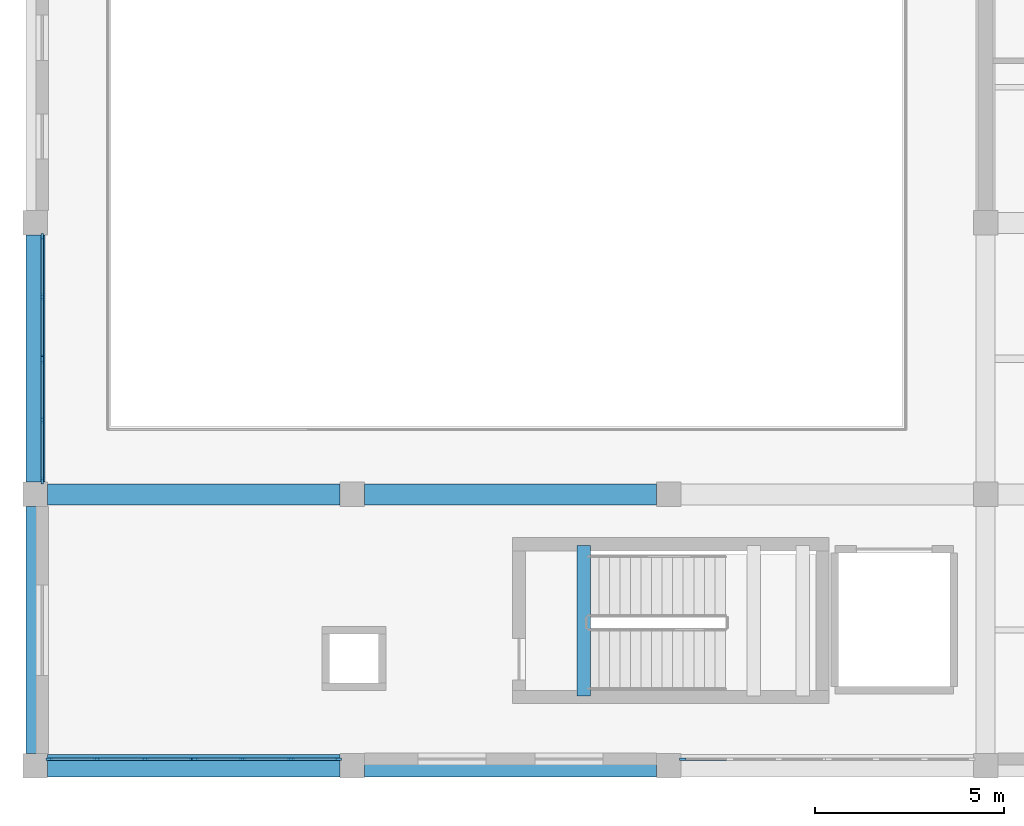
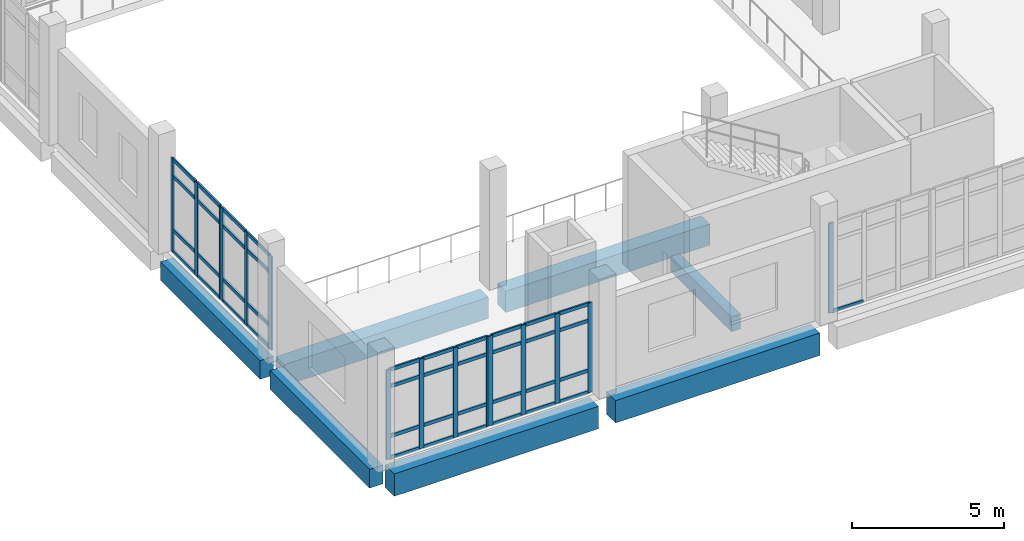
# One storey, part 2 of 90: 56 members, 7 beams, 5 elements without a shape of their own.
"""IFC4 building model written with IfcOpenShell, lengths in metres."""

from ifc_helpers import new_model, si_unit, direction, frame, origin, origin_2d, place, context, subcontext, project, spatial, rectangle, extrude, material, layer, layer_set, material_profile, profile_set, type_object, element, aggregate, save


model = new_model("IFC4")

# Units and contexts
model_context = context("Model", 3, precision=1e-05, world=origin(), true_north=direction((0.0, 1.0)))
body_context = subcontext(model_context, "Body", "Model", "MODEL_VIEW")
ifc_project = project(units=[si_unit("LENGTHUNIT", "METRE"), si_unit("AREAUNIT", "SQUARE_METRE"), si_unit("VOLUMEUNIT", "CUBIC_METRE"), si_unit("PLANEANGLEUNIT", "RADIAN"), si_unit("MASSUNIT", "GRAM", prefix="KILO")], contexts=[model_context])

# Site, building, storey
site_placement = place(None, origin())
site = spatial("IfcSite", under=ifc_project, at=site_placement, CompositionType="ELEMENT")
building_placement = place(site_placement, origin())
building = spatial("IfcBuilding", under=site, at=building_placement, Name="Kelarvand Opera House", CompositionType="ELEMENT")
storey_placement = place(building_placement, frame((0.0, 0.0, 5.39990234375)))
storey = spatial("IfcBuildingStorey", under=building, at=storey_placement, Name="L01", CompositionType="ELEMENT", Elevation=5.39990234375)

# Curtain wall, members
ifc_material_1 = material(Name="Thermally broken aluminium and low-E glazing", Category="aluminium")
ifc_layer_1 = layer(ifc_material_1, 0.179931640625, Name="Thermally broken aluminium and low-E glazing", Category="aluminium")
ifc_layer_set_1 = layer_set([ifc_layer_1], Name="Thermally broken aluminium and low-E glazing")
curtain_wall_type_1 = type_object("IfcCurtainWallType", Name="Unitised Low-E Curtain Wall 3261x3750 Mod 1350 CWF-26", PredefinedType="USERDEFINED", material=ifc_layer_set_1)
curtain_wall_1_placement = place(storey_placement, origin())
curtain_wall_1 = element("IfcCurtainWall", 1, at=curtain_wall_1_placement, inside=storey, type_object=curtain_wall_type_1, Name="V4 L01 Curtain Wall CWF-26 (119)", ObjectType="UNITISED CURTAIN WALL", PredefinedType="USERDEFINED")
ifc_material_2 = material(Name="Thermally broken anodised aluminium", Category="aluminium")
ifc_material_profile_1 = material_profile(ifc_material_2, rectangle(XDim=0.06494140625, YDim=0.179931640625, at=origin_2d()), Name="ALU MULLION 65x180", Category="aluminium")
ifc_profile_set_1 = profile_set([ifc_material_profile_1], Name="Thermally broken anodised aluminium")
member_type_1 = type_object("IfcMemberType", Name="Curtain Wall Mullion 65x180 Aluminium", PredefinedType="MULLION", material=ifc_profile_set_1)
member_1_placement = place(storey_placement, frame((9.179931640625, 16.5673828125, 0.0), z_axis=(0.0, 0.0, 1.0), x_axis=(-1.0, 0.0, 0.0)))
member_1 = element("IfcMember", 2, at=member_1_placement, type_object=member_type_1, Name="CWF-26 mullion 1", PredefinedType="MULLION", context=body_context, shape_type="SweptSolid", body=[
    extrude(rectangle(XDim=0.06494140625, YDim=0.179931640625, at=origin_2d()), origin(), (0.0, 0.0, 1.0), 3.75),
])
member_2_placement = place(storey_placement, frame((9.179931640625, 18.16552734375, 0.0), z_axis=(0.0, 0.0, 1.0), x_axis=(-1.0, 0.0, 0.0)))
member_2 = element("IfcMember", 3, at=member_2_placement, type_object=member_type_1, Name="CWF-26 mullion 2", PredefinedType="MULLION", context=body_context, shape_type="SweptSolid", body=[
    extrude(rectangle(XDim=0.06494140625, YDim=0.179931640625, at=origin_2d()), origin(), (0.0, 0.0, 1.0), 3.75),
])
member_3_placement = place(storey_placement, frame((9.179931640625, 19.763427734375, 0.0), z_axis=(0.0, 0.0, 1.0), x_axis=(-1.0, 0.0, 0.0)))
member_3 = element("IfcMember", 4, at=member_3_placement, type_object=member_type_1, Name="CWF-26 mullion 3", PredefinedType="MULLION", context=body_context, shape_type="SweptSolid", body=[
    extrude(rectangle(XDim=0.06494140625, YDim=0.179931640625, at=origin_2d()), origin(), (0.0, 0.0, 1.0), 3.75),
])

curtain_wall_2_placement = place(storey_placement, origin())
curtain_wall_2 = element("IfcCurtainWall", 5, at=curtain_wall_2_placement, inside=storey, type_object=curtain_wall_type_1, Name="V4 L01 Curtain Wall CWF-26 (120)", ObjectType="UNITISED CURTAIN WALL", PredefinedType="USERDEFINED")
member_4_placement = place(storey_placement, frame((9.179931640625, 19.83251953125, 0.0), z_axis=(0.0, 0.0, 1.0), x_axis=(-1.0, 0.0, 0.0)))
member_4 = element("IfcMember", 6, at=member_4_placement, type_object=member_type_1, Name="CWF-26 mullion 1", PredefinedType="MULLION", context=body_context, shape_type="SweptSolid", body=[
    extrude(rectangle(XDim=0.06494140625, YDim=0.179931640625, at=origin_2d()), origin(), (0.0, 0.0, 1.0), 3.75),
])
member_5_placement = place(storey_placement, frame((9.179931640625, 21.4326171875, 0.0), z_axis=(0.0, 0.0, 1.0), x_axis=(-1.0, 0.0, 0.0)))
member_5 = element("IfcMember", 7, at=member_5_placement, type_object=member_type_1, Name="CWF-26 mullion 2", PredefinedType="MULLION", context=body_context, shape_type="SweptSolid", body=[
    extrude(rectangle(XDim=0.06494140625, YDim=0.179931640625, at=origin_2d()), origin(), (0.0, 0.0, 1.0), 3.75),
])
member_6_placement = place(storey_placement, frame((9.179931640625, 23.032470703125, 0.0), z_axis=(0.0, 0.0, 1.0), x_axis=(-1.0, 0.0, 0.0)))
member_6 = element("IfcMember", 8, at=member_6_placement, type_object=member_type_1, Name="CWF-26 mullion 3", PredefinedType="MULLION", context=body_context, shape_type="SweptSolid", body=[
    extrude(rectangle(XDim=0.06494140625, YDim=0.179931640625, at=origin_2d()), origin(), (0.0, 0.0, 1.0), 3.75),
])

# Curtain wall, member
ifc_layer_2 = layer(ifc_material_1, 0.179931640625, Name="Thermally broken aluminium and low-E glazing", Category="aluminium")
ifc_layer_set_2 = layer_set([ifc_layer_2], Name="Thermally broken aluminium and low-E glazing")
curtain_wall_type_2 = type_object("IfcCurtainWallType", Name="Unitised Low-E Curtain Wall 3861x3600 Mod 1350 CWF-17", PredefinedType="USERDEFINED", material=ifc_layer_set_2)
curtain_wall_3_placement = place(storey_placement, origin())
curtain_wall_3 = element("IfcCurtainWall", 9, at=curtain_wall_3_placement, inside=storey, type_object=curtain_wall_type_2, Name="V4 L01 Curtain Wall CWF-17 (136)", ObjectType="UNITISED CURTAIN WALL", PredefinedType="USERDEFINED")
member_7_placement = place(storey_placement, frame((26.16748046875, 9.179931640625, 0.0), z_axis=(0.0, 0.0, 1.0), x_axis=(0.0, -1.0, 0.0)))
member_7 = element("IfcMember", 10, at=member_7_placement, type_object=member_type_1, Name="CWF-17 mullion 4", PredefinedType="MULLION", context=body_context, shape_type="SweptSolid", body=[
    extrude(rectangle(XDim=0.06494140625, YDim=0.179931640625, at=origin_2d()), origin(), (0.0, 0.0, 1.0), 3.60009765625),
])

# Curtain wall, members
curtain_wall_4_placement = place(storey_placement, origin())
curtain_wall_4 = element("IfcCurtainWall", 11, at=curtain_wall_4_placement, inside=storey, type_object=curtain_wall_type_2, Name="V4 L01 Curtain Wall CWF-17 (137)", ObjectType="UNITISED CURTAIN WALL", PredefinedType="USERDEFINED")
member_8_placement = place(storey_placement, frame((17.032470703125, 9.179931640625, 0.0), z_axis=(0.0, 0.0, 1.0), x_axis=(0.0, -1.0, 0.0)))
member_8 = element("IfcMember", 12, at=member_8_placement, type_object=member_type_1, Name="CWF-17 mullion 1", PredefinedType="MULLION", context=body_context, shape_type="SweptSolid", body=[
    extrude(rectangle(XDim=0.06494140625, YDim=0.179931640625, at=origin_2d()), origin(), (0.0, 0.0, 1.0), 3.60009765625),
])
member_9_placement = place(storey_placement, frame((15.778076171875, 9.179931640625, 0.0), z_axis=(0.0, 0.0, 1.0), x_axis=(0.0, -1.0, 0.0)))
member_9 = element("IfcMember", 13, at=member_9_placement, type_object=member_type_1, Name="CWF-17 mullion 2", PredefinedType="MULLION", context=body_context, shape_type="SweptSolid", body=[
    extrude(rectangle(XDim=0.06494140625, YDim=0.179931640625, at=origin_2d()), origin(), (0.0, 0.0, 1.0), 3.60009765625),
])
member_10_placement = place(storey_placement, frame((14.490966796875, 9.179931640625, 0.0), z_axis=(0.0, 0.0, 1.0), x_axis=(0.0, -1.0, 0.0)))
member_10 = element("IfcMember", 14, at=member_10_placement, type_object=member_type_1, Name="CWF-17 mullion 3", PredefinedType="MULLION", context=body_context, shape_type="SweptSolid", body=[
    extrude(rectangle(XDim=0.06494140625, YDim=0.179931640625, at=origin_2d()), origin(), (0.0, 0.0, 1.0), 3.60009765625),
])
member_11_placement = place(storey_placement, frame((13.236572265625, 9.179931640625, 0.0), z_axis=(0.0, 0.0, 1.0), x_axis=(0.0, -1.0, 0.0)))
member_11 = element("IfcMember", 15, at=member_11_placement, type_object=member_type_1, Name="CWF-17 mullion 4", PredefinedType="MULLION", context=body_context, shape_type="SweptSolid", body=[
    extrude(rectangle(XDim=0.06494140625, YDim=0.179931640625, at=origin_2d()), origin(), (0.0, 0.0, 1.0), 3.60009765625),
])

curtain_wall_5_placement = place(storey_placement, origin())
curtain_wall_5 = element("IfcCurtainWall", 16, at=curtain_wall_5_placement, inside=storey, type_object=curtain_wall_type_2, Name="V4 L01 Curtain Wall CWF-17 (138)", ObjectType="UNITISED CURTAIN WALL", PredefinedType="USERDEFINED")
member_12_placement = place(storey_placement, frame((13.16748046875, 9.179931640625, 0.0), z_axis=(0.0, 0.0, 1.0), x_axis=(0.0, -1.0, 0.0)))
member_12 = element("IfcMember", 17, at=member_12_placement, type_object=member_type_1, Name="CWF-17 mullion 1", PredefinedType="MULLION", context=body_context, shape_type="SweptSolid", body=[
    extrude(rectangle(XDim=0.06494140625, YDim=0.179931640625, at=origin_2d()), origin(), (0.0, 0.0, 1.0), 3.60009765625),
])
member_13_placement = place(storey_placement, frame((11.91162109375, 9.179931640625, 0.0), z_axis=(0.0, 0.0, 1.0), x_axis=(0.0, -1.0, 0.0)))
member_13 = element("IfcMember", 18, at=member_13_placement, type_object=member_type_1, Name="CWF-17 mullion 2", PredefinedType="MULLION", context=body_context, shape_type="SweptSolid", body=[
    extrude(rectangle(XDim=0.06494140625, YDim=0.179931640625, at=origin_2d()), origin(), (0.0, 0.0, 1.0), 3.60009765625),
])
member_14_placement = place(storey_placement, frame((10.623291015625, 9.179931640625, 0.0), z_axis=(0.0, 0.0, 1.0), x_axis=(0.0, -1.0, 0.0)))
member_14 = element("IfcMember", 19, at=member_14_placement, type_object=member_type_1, Name="CWF-17 mullion 3", PredefinedType="MULLION", context=body_context, shape_type="SweptSolid", body=[
    extrude(rectangle(XDim=0.06494140625, YDim=0.179931640625, at=origin_2d()), origin(), (0.0, 0.0, 1.0), 3.60009765625),
])
member_15_placement = place(storey_placement, frame((9.367431640625, 9.179931640625, 0.0), z_axis=(0.0, 0.0, 1.0), x_axis=(0.0, -1.0, 0.0)))
member_15 = element("IfcMember", 20, at=member_15_placement, type_object=member_type_1, Name="CWF-17 mullion 4", PredefinedType="MULLION", context=body_context, shape_type="SweptSolid", body=[
    extrude(rectangle(XDim=0.06494140625, YDim=0.179931640625, at=origin_2d()), origin(), (0.0, 0.0, 1.0), 3.60009765625),
])

# Member
ifc_material_profile_2 = material_profile(ifc_material_2, rectangle(XDim=0.06494140625, YDim=0.139892578125, at=origin_2d()), Name="ALU TRANSOM 65x140", Category="aluminium")
ifc_profile_set_2 = profile_set([ifc_material_profile_2], Name="Thermally broken anodised aluminium")
member_type_2 = type_object("IfcMemberType", Name="Curtain Wall Transom 65x140 Aluminium", PredefinedType="USERDEFINED", material=ifc_profile_set_2)
member_16_placement = place(storey_placement, frame((9.179931640625, 16.60009765625, 0.03271484375), z_axis=(0.0, 1.0, 0.0), x_axis=(-1.0, 0.0, 0.0)))
member_16 = element("IfcMember", 21, at=member_16_placement, type_object=member_type_2, Name="CWF-26 transom 1.1", ObjectType="TRANSOM", PredefinedType="USERDEFINED", context=body_context, shape_type="SweptSolid", body=[
    extrude(rectangle(XDim=0.06494140625, YDim=0.139892578125, at=origin_2d()), origin(), (0.0, 0.0, 1.0), 1.532958984375),
])

member_17_placement = place(storey_placement, frame((9.179931640625, 16.60009765625, 0.900146484375), z_axis=(0.0, 1.0, 0.0), x_axis=(-1.0, 0.0, 0.0)))
member_17 = element("IfcMember", 22, at=member_17_placement, type_object=member_type_2, Name="CWF-26 transom 1.2", ObjectType="TRANSOM", PredefinedType="USERDEFINED", context=body_context, shape_type="SweptSolid", body=[
    extrude(rectangle(XDim=0.06494140625, YDim=0.139892578125, at=origin_2d()), origin(), (0.0, 0.0, 1.0), 1.532958984375),
])

member_18_placement = place(storey_placement, frame((9.179931640625, 16.60009765625, 3.050048828125), z_axis=(0.0, 1.0, 0.0), x_axis=(-1.0, 0.0, 0.0)))
member_18 = element("IfcMember", 23, at=member_18_placement, type_object=member_type_2, Name="CWF-26 transom 1.3", ObjectType="TRANSOM", PredefinedType="USERDEFINED", context=body_context, shape_type="SweptSolid", body=[
    extrude(rectangle(XDim=0.06494140625, YDim=0.139892578125, at=origin_2d()), origin(), (0.0, 0.0, 1.0), 1.532958984375),
])

member_19_placement = place(storey_placement, frame((9.179931640625, 16.60009765625, 3.717529296875), z_axis=(0.0, 1.0, 0.0), x_axis=(-1.0, 0.0, 0.0)))
member_19 = element("IfcMember", 24, at=member_19_placement, type_object=member_type_2, Name="CWF-26 transom 1.4", ObjectType="TRANSOM", PredefinedType="USERDEFINED", context=body_context, shape_type="SweptSolid", body=[
    extrude(rectangle(XDim=0.06494140625, YDim=0.139892578125, at=origin_2d()), origin(), (0.0, 0.0, 1.0), 1.532958984375),
])

member_20_placement = place(storey_placement, frame((9.179931640625, 18.197998046875, 0.03271484375), z_axis=(0.0, 1.0, 0.0), x_axis=(-1.0, 0.0, 0.0)))
member_20 = element("IfcMember", 25, at=member_20_placement, type_object=member_type_2, Name="CWF-26 transom 2.1", ObjectType="TRANSOM", PredefinedType="USERDEFINED", context=body_context, shape_type="SweptSolid", body=[
    extrude(rectangle(XDim=0.06494140625, YDim=0.139892578125, at=origin_2d()), origin(), (0.0, 0.0, 1.0), 1.532958984375),
])

member_21_placement = place(storey_placement, frame((9.179931640625, 18.197998046875, 0.900146484375), z_axis=(0.0, 1.0, 0.0), x_axis=(-1.0, 0.0, 0.0)))
member_21 = element("IfcMember", 26, at=member_21_placement, type_object=member_type_2, Name="CWF-26 transom 2.2", ObjectType="TRANSOM", PredefinedType="USERDEFINED", context=body_context, shape_type="SweptSolid", body=[
    extrude(rectangle(XDim=0.06494140625, YDim=0.139892578125, at=origin_2d()), origin(), (0.0, 0.0, 1.0), 1.532958984375),
])

member_22_placement = place(storey_placement, frame((9.179931640625, 18.197998046875, 3.050048828125), z_axis=(0.0, 1.0, 0.0), x_axis=(-1.0, 0.0, 0.0)))
member_22 = element("IfcMember", 27, at=member_22_placement, type_object=member_type_2, Name="CWF-26 transom 2.3", ObjectType="TRANSOM", PredefinedType="USERDEFINED", context=body_context, shape_type="SweptSolid", body=[
    extrude(rectangle(XDim=0.06494140625, YDim=0.139892578125, at=origin_2d()), origin(), (0.0, 0.0, 1.0), 1.532958984375),
])

member_23_placement = place(storey_placement, frame((9.179931640625, 18.197998046875, 3.717529296875), z_axis=(0.0, 1.0, 0.0), x_axis=(-1.0, 0.0, 0.0)))
member_23 = element("IfcMember", 28, at=member_23_placement, type_object=member_type_2, Name="CWF-26 transom 2.4", ObjectType="TRANSOM", PredefinedType="USERDEFINED", context=body_context, shape_type="SweptSolid", body=[
    extrude(rectangle(XDim=0.06494140625, YDim=0.139892578125, at=origin_2d()), origin(), (0.0, 0.0, 1.0), 1.532958984375),
])

aggregate(curtain_wall_1, [member_1, member_2, member_3, member_16, member_17, member_18, member_19, member_20, member_21, member_22, member_23])

member_24_placement = place(storey_placement, frame((9.179931640625, 19.864990234375, 0.03271484375), z_axis=(0.0, 1.0, 0.0), x_axis=(-1.0, 0.0, 0.0)))
member_24 = element("IfcMember", 29, at=member_24_placement, type_object=member_type_2, Name="CWF-26 transom 1.1", ObjectType="TRANSOM", PredefinedType="USERDEFINED", context=body_context, shape_type="SweptSolid", body=[
    extrude(rectangle(XDim=0.06494140625, YDim=0.139892578125, at=origin_2d()), origin(), (0.0, 0.0, 1.0), 1.534912109375),
])

member_25_placement = place(storey_placement, frame((9.179931640625, 19.864990234375, 0.900146484375), z_axis=(0.0, 1.0, 0.0), x_axis=(-1.0, 0.0, 0.0)))
member_25 = element("IfcMember", 30, at=member_25_placement, type_object=member_type_2, Name="CWF-26 transom 1.2", ObjectType="TRANSOM", PredefinedType="USERDEFINED", context=body_context, shape_type="SweptSolid", body=[
    extrude(rectangle(XDim=0.06494140625, YDim=0.139892578125, at=origin_2d()), origin(), (0.0, 0.0, 1.0), 1.534912109375),
])

member_26_placement = place(storey_placement, frame((9.179931640625, 19.864990234375, 3.050048828125), z_axis=(0.0, 1.0, 0.0), x_axis=(-1.0, 0.0, 0.0)))
member_26 = element("IfcMember", 31, at=member_26_placement, type_object=member_type_2, Name="CWF-26 transom 1.3", ObjectType="TRANSOM", PredefinedType="USERDEFINED", context=body_context, shape_type="SweptSolid", body=[
    extrude(rectangle(XDim=0.06494140625, YDim=0.139892578125, at=origin_2d()), origin(), (0.0, 0.0, 1.0), 1.534912109375),
])

member_27_placement = place(storey_placement, frame((9.179931640625, 19.864990234375, 3.717529296875), z_axis=(0.0, 1.0, 0.0), x_axis=(-1.0, 0.0, 0.0)))
member_27 = element("IfcMember", 32, at=member_27_placement, type_object=member_type_2, Name="CWF-26 transom 1.4", ObjectType="TRANSOM", PredefinedType="USERDEFINED", context=body_context, shape_type="SweptSolid", body=[
    extrude(rectangle(XDim=0.06494140625, YDim=0.139892578125, at=origin_2d()), origin(), (0.0, 0.0, 1.0), 1.534912109375),
])

member_28_placement = place(storey_placement, frame((9.179931640625, 21.465087890625, 0.03271484375), z_axis=(0.0, 1.0, 0.0), x_axis=(-1.0, 0.0, 0.0)))
member_28 = element("IfcMember", 33, at=member_28_placement, type_object=member_type_2, Name="CWF-26 transom 2.1", ObjectType="TRANSOM", PredefinedType="USERDEFINED", context=body_context, shape_type="SweptSolid", body=[
    extrude(rectangle(XDim=0.06494140625, YDim=0.139892578125, at=origin_2d()), origin(), (0.0, 0.0, 1.0), 1.534912109375),
])

member_29_placement = place(storey_placement, frame((9.179931640625, 21.465087890625, 0.900146484375), z_axis=(0.0, 1.0, 0.0), x_axis=(-1.0, 0.0, 0.0)))
member_29 = element("IfcMember", 34, at=member_29_placement, type_object=member_type_2, Name="CWF-26 transom 2.2", ObjectType="TRANSOM", PredefinedType="USERDEFINED", context=body_context, shape_type="SweptSolid", body=[
    extrude(rectangle(XDim=0.06494140625, YDim=0.139892578125, at=origin_2d()), origin(), (0.0, 0.0, 1.0), 1.534912109375),
])

member_30_placement = place(storey_placement, frame((9.179931640625, 21.465087890625, 3.050048828125), z_axis=(0.0, 1.0, 0.0), x_axis=(-1.0, 0.0, 0.0)))
member_30 = element("IfcMember", 35, at=member_30_placement, type_object=member_type_2, Name="CWF-26 transom 2.3", ObjectType="TRANSOM", PredefinedType="USERDEFINED", context=body_context, shape_type="SweptSolid", body=[
    extrude(rectangle(XDim=0.06494140625, YDim=0.139892578125, at=origin_2d()), origin(), (0.0, 0.0, 1.0), 1.534912109375),
])

member_31_placement = place(storey_placement, frame((9.179931640625, 21.465087890625, 3.717529296875), z_axis=(0.0, 1.0, 0.0), x_axis=(-1.0, 0.0, 0.0)))
member_31 = element("IfcMember", 36, at=member_31_placement, type_object=member_type_2, Name="CWF-26 transom 2.4", ObjectType="TRANSOM", PredefinedType="USERDEFINED", context=body_context, shape_type="SweptSolid", body=[
    extrude(rectangle(XDim=0.06494140625, YDim=0.139892578125, at=origin_2d()), origin(), (0.0, 0.0, 1.0), 1.534912109375),
])

aggregate(curtain_wall_2, [member_4, member_5, member_6, member_24, member_25, member_26, member_27, member_28, member_29, member_30, member_31])

member_32_placement = place(storey_placement, frame((27.390869140625, 9.179931640625, 0.03271484375), z_axis=(-1.0, 0.0, 0.0), x_axis=(0.0, -1.0, 0.0)))
member_32 = element("IfcMember", 37, at=member_32_placement, type_object=member_type_2, Name="CWF-17 transom 3.1", ObjectType="TRANSOM", PredefinedType="USERDEFINED", context=body_context, shape_type="SweptSolid", body=[
    extrude(rectangle(XDim=0.06494140625, YDim=0.139892578125, at=origin_2d()), origin(), (0.0, 0.0, 1.0), 1.19091796875),
])

aggregate(curtain_wall_3, [member_7, member_32])

member_33_placement = place(storey_placement, frame((17.0, 9.179931640625, 0.03271484375), z_axis=(-1.0, 0.0, 0.0), x_axis=(0.0, -1.0, 0.0)))
member_33 = element("IfcMember", 38, at=member_33_placement, type_object=member_type_2, Name="CWF-17 transom 1.1", ObjectType="TRANSOM", PredefinedType="USERDEFINED", context=body_context, shape_type="SweptSolid", body=[
    extrude(rectangle(XDim=0.06494140625, YDim=0.139892578125, at=origin_2d()), origin(), (0.0, 0.0, 1.0), 1.189453125),
])

member_34_placement = place(storey_placement, frame((17.0, 9.179931640625, 0.900146484375), z_axis=(-1.0, 0.0, 0.0), x_axis=(0.0, -1.0, 0.0)))
member_34 = element("IfcMember", 39, at=member_34_placement, type_object=member_type_2, Name="CWF-17 transom 1.2", ObjectType="TRANSOM", PredefinedType="USERDEFINED", context=body_context, shape_type="SweptSolid", body=[
    extrude(rectangle(XDim=0.06494140625, YDim=0.139892578125, at=origin_2d()), origin(), (0.0, 0.0, 1.0), 1.189453125),
])

member_35_placement = place(storey_placement, frame((17.0, 9.179931640625, 2.900146484375), z_axis=(-1.0, 0.0, 0.0), x_axis=(0.0, -1.0, 0.0)))
member_35 = element("IfcMember", 40, at=member_35_placement, type_object=member_type_2, Name="CWF-17 transom 1.3", ObjectType="TRANSOM", PredefinedType="USERDEFINED", context=body_context, shape_type="SweptSolid", body=[
    extrude(rectangle(XDim=0.06494140625, YDim=0.139892578125, at=origin_2d()), origin(), (0.0, 0.0, 1.0), 1.189453125),
])

member_36_placement = place(storey_placement, frame((17.0, 9.179931640625, 3.567626953125), z_axis=(-1.0, 0.0, 0.0), x_axis=(0.0, -1.0, 0.0)))
member_36 = element("IfcMember", 41, at=member_36_placement, type_object=member_type_2, Name="CWF-17 transom 1.4", ObjectType="TRANSOM", PredefinedType="USERDEFINED", context=body_context, shape_type="SweptSolid", body=[
    extrude(rectangle(XDim=0.06494140625, YDim=0.139892578125, at=origin_2d()), origin(), (0.0, 0.0, 1.0), 1.189453125),
])

member_37_placement = place(storey_placement, frame((15.74560546875, 9.179931640625, 0.03271484375), z_axis=(-1.0, 0.0, 0.0), x_axis=(0.0, -1.0, 0.0)))
member_37 = element("IfcMember", 42, at=member_37_placement, type_object=member_type_2, Name="CWF-17 transom 2.1", ObjectType="TRANSOM", PredefinedType="USERDEFINED", context=body_context, shape_type="SweptSolid", body=[
    extrude(rectangle(XDim=0.06494140625, YDim=0.139892578125, at=origin_2d()), origin(), (0.0, 0.0, 1.0), 1.22216796875),
])

member_38_placement = place(storey_placement, frame((15.74560546875, 9.179931640625, 0.900146484375), z_axis=(-1.0, 0.0, 0.0), x_axis=(0.0, -1.0, 0.0)))
member_38 = element("IfcMember", 43, at=member_38_placement, type_object=member_type_2, Name="CWF-17 transom 2.2", ObjectType="TRANSOM", PredefinedType="USERDEFINED", context=body_context, shape_type="SweptSolid", body=[
    extrude(rectangle(XDim=0.06494140625, YDim=0.139892578125, at=origin_2d()), origin(), (0.0, 0.0, 1.0), 1.22216796875),
])

member_39_placement = place(storey_placement, frame((15.74560546875, 9.179931640625, 2.900146484375), z_axis=(-1.0, 0.0, 0.0), x_axis=(0.0, -1.0, 0.0)))
member_39 = element("IfcMember", 44, at=member_39_placement, type_object=member_type_2, Name="CWF-17 transom 2.3", ObjectType="TRANSOM", PredefinedType="USERDEFINED", context=body_context, shape_type="SweptSolid", body=[
    extrude(rectangle(XDim=0.06494140625, YDim=0.139892578125, at=origin_2d()), origin(), (0.0, 0.0, 1.0), 1.22216796875),
])

member_40_placement = place(storey_placement, frame((15.74560546875, 9.179931640625, 3.567626953125), z_axis=(-1.0, 0.0, 0.0), x_axis=(0.0, -1.0, 0.0)))
member_40 = element("IfcMember", 45, at=member_40_placement, type_object=member_type_2, Name="CWF-17 transom 2.4", ObjectType="TRANSOM", PredefinedType="USERDEFINED", context=body_context, shape_type="SweptSolid", body=[
    extrude(rectangle(XDim=0.06494140625, YDim=0.139892578125, at=origin_2d()), origin(), (0.0, 0.0, 1.0), 1.22216796875),
])

member_41_placement = place(storey_placement, frame((14.45849609375, 9.179931640625, 0.03271484375), z_axis=(-1.0, 0.0, 0.0), x_axis=(0.0, -1.0, 0.0)))
member_41 = element("IfcMember", 46, at=member_41_placement, type_object=member_type_2, Name="CWF-17 transom 3.1", ObjectType="TRANSOM", PredefinedType="USERDEFINED", context=body_context, shape_type="SweptSolid", body=[
    extrude(rectangle(XDim=0.06494140625, YDim=0.139892578125, at=origin_2d()), origin(), (0.0, 0.0, 1.0), 1.189453125),
])

member_42_placement = place(storey_placement, frame((14.45849609375, 9.179931640625, 0.900146484375), z_axis=(-1.0, 0.0, 0.0), x_axis=(0.0, -1.0, 0.0)))
member_42 = element("IfcMember", 47, at=member_42_placement, type_object=member_type_2, Name="CWF-17 transom 3.2", ObjectType="TRANSOM", PredefinedType="USERDEFINED", context=body_context, shape_type="SweptSolid", body=[
    extrude(rectangle(XDim=0.06494140625, YDim=0.139892578125, at=origin_2d()), origin(), (0.0, 0.0, 1.0), 1.189453125),
])

member_43_placement = place(storey_placement, frame((14.45849609375, 9.179931640625, 2.900146484375), z_axis=(-1.0, 0.0, 0.0), x_axis=(0.0, -1.0, 0.0)))
member_43 = element("IfcMember", 48, at=member_43_placement, type_object=member_type_2, Name="CWF-17 transom 3.3", ObjectType="TRANSOM", PredefinedType="USERDEFINED", context=body_context, shape_type="SweptSolid", body=[
    extrude(rectangle(XDim=0.06494140625, YDim=0.139892578125, at=origin_2d()), origin(), (0.0, 0.0, 1.0), 1.189453125),
])

member_44_placement = place(storey_placement, frame((14.45849609375, 9.179931640625, 3.567626953125), z_axis=(-1.0, 0.0, 0.0), x_axis=(0.0, -1.0, 0.0)))
member_44 = element("IfcMember", 49, at=member_44_placement, type_object=member_type_2, Name="CWF-17 transom 3.4", ObjectType="TRANSOM", PredefinedType="USERDEFINED", context=body_context, shape_type="SweptSolid", body=[
    extrude(rectangle(XDim=0.06494140625, YDim=0.139892578125, at=origin_2d()), origin(), (0.0, 0.0, 1.0), 1.189453125),
])

aggregate(curtain_wall_4, [member_8, member_9, member_10, member_11, member_33, member_34, member_35, member_36, member_37, member_38, member_39, member_40, member_41, member_42, member_43, member_44])

member_45_placement = place(storey_placement, frame((13.135009765625, 9.179931640625, 0.03271484375), z_axis=(-1.0, 0.0, 0.0), x_axis=(0.0, -1.0, 0.0)))
member_45 = element("IfcMember", 50, at=member_45_placement, type_object=member_type_2, Name="CWF-17 transom 1.1", ObjectType="TRANSOM", PredefinedType="USERDEFINED", context=body_context, shape_type="SweptSolid", body=[
    extrude(rectangle(XDim=0.06494140625, YDim=0.139892578125, at=origin_2d()), origin(), (0.0, 0.0, 1.0), 1.19091796875),
])

member_46_placement = place(storey_placement, frame((13.135009765625, 9.179931640625, 0.900146484375), z_axis=(-1.0, 0.0, 0.0), x_axis=(0.0, -1.0, 0.0)))
member_46 = element("IfcMember", 51, at=member_46_placement, type_object=member_type_2, Name="CWF-17 transom 1.2", ObjectType="TRANSOM", PredefinedType="USERDEFINED", context=body_context, shape_type="SweptSolid", body=[
    extrude(rectangle(XDim=0.06494140625, YDim=0.139892578125, at=origin_2d()), origin(), (0.0, 0.0, 1.0), 1.19091796875),
])

member_47_placement = place(storey_placement, frame((13.135009765625, 9.179931640625, 2.900146484375), z_axis=(-1.0, 0.0, 0.0), x_axis=(0.0, -1.0, 0.0)))
member_47 = element("IfcMember", 52, at=member_47_placement, type_object=member_type_2, Name="CWF-17 transom 1.3", ObjectType="TRANSOM", PredefinedType="USERDEFINED", context=body_context, shape_type="SweptSolid", body=[
    extrude(rectangle(XDim=0.06494140625, YDim=0.139892578125, at=origin_2d()), origin(), (0.0, 0.0, 1.0), 1.19091796875),
])

member_48_placement = place(storey_placement, frame((13.135009765625, 9.179931640625, 3.567626953125), z_axis=(-1.0, 0.0, 0.0), x_axis=(0.0, -1.0, 0.0)))
member_48 = element("IfcMember", 53, at=member_48_placement, type_object=member_type_2, Name="CWF-17 transom 1.4", ObjectType="TRANSOM", PredefinedType="USERDEFINED", context=body_context, shape_type="SweptSolid", body=[
    extrude(rectangle(XDim=0.06494140625, YDim=0.139892578125, at=origin_2d()), origin(), (0.0, 0.0, 1.0), 1.19091796875),
])

member_49_placement = place(storey_placement, frame((11.879150390625, 9.179931640625, 0.03271484375), z_axis=(-1.0, 0.0, 0.0), x_axis=(0.0, -1.0, 0.0)))
member_49 = element("IfcMember", 54, at=member_49_placement, type_object=member_type_2, Name="CWF-17 transom 2.1", ObjectType="TRANSOM", PredefinedType="USERDEFINED", context=body_context, shape_type="SweptSolid", body=[
    extrude(rectangle(XDim=0.06494140625, YDim=0.139892578125, at=origin_2d()), origin(), (0.0, 0.0, 1.0), 1.223388671875),
])

member_50_placement = place(storey_placement, frame((11.879150390625, 9.179931640625, 0.900146484375), z_axis=(-1.0, 0.0, 0.0), x_axis=(0.0, -1.0, 0.0)))
member_50 = element("IfcMember", 55, at=member_50_placement, type_object=member_type_2, Name="CWF-17 transom 2.2", ObjectType="TRANSOM", PredefinedType="USERDEFINED", context=body_context, shape_type="SweptSolid", body=[
    extrude(rectangle(XDim=0.06494140625, YDim=0.139892578125, at=origin_2d()), origin(), (0.0, 0.0, 1.0), 1.223388671875),
])

member_51_placement = place(storey_placement, frame((11.879150390625, 9.179931640625, 2.900146484375), z_axis=(-1.0, 0.0, 0.0), x_axis=(0.0, -1.0, 0.0)))
member_51 = element("IfcMember", 56, at=member_51_placement, type_object=member_type_2, Name="CWF-17 transom 2.3", ObjectType="TRANSOM", PredefinedType="USERDEFINED", context=body_context, shape_type="SweptSolid", body=[
    extrude(rectangle(XDim=0.06494140625, YDim=0.139892578125, at=origin_2d()), origin(), (0.0, 0.0, 1.0), 1.223388671875),
])

member_52_placement = place(storey_placement, frame((11.879150390625, 9.179931640625, 3.567626953125), z_axis=(-1.0, 0.0, 0.0), x_axis=(0.0, -1.0, 0.0)))
member_52 = element("IfcMember", 57, at=member_52_placement, type_object=member_type_2, Name="CWF-17 transom 2.4", ObjectType="TRANSOM", PredefinedType="USERDEFINED", context=body_context, shape_type="SweptSolid", body=[
    extrude(rectangle(XDim=0.06494140625, YDim=0.139892578125, at=origin_2d()), origin(), (0.0, 0.0, 1.0), 1.223388671875),
])

member_53_placement = place(storey_placement, frame((10.5908203125, 9.179931640625, 0.03271484375), z_axis=(-1.0, 0.0, 0.0), x_axis=(0.0, -1.0, 0.0)))
member_53 = element("IfcMember", 58, at=member_53_placement, type_object=member_type_2, Name="CWF-17 transom 3.1", ObjectType="TRANSOM", PredefinedType="USERDEFINED", context=body_context, shape_type="SweptSolid", body=[
    extrude(rectangle(XDim=0.06494140625, YDim=0.139892578125, at=origin_2d()), origin(), (0.0, 0.0, 1.0), 1.19091796875),
])

member_54_placement = place(storey_placement, frame((10.5908203125, 9.179931640625, 0.900146484375), z_axis=(-1.0, 0.0, 0.0), x_axis=(0.0, -1.0, 0.0)))
member_54 = element("IfcMember", 59, at=member_54_placement, type_object=member_type_2, Name="CWF-17 transom 3.2", ObjectType="TRANSOM", PredefinedType="USERDEFINED", context=body_context, shape_type="SweptSolid", body=[
    extrude(rectangle(XDim=0.06494140625, YDim=0.139892578125, at=origin_2d()), origin(), (0.0, 0.0, 1.0), 1.19091796875),
])

member_55_placement = place(storey_placement, frame((10.5908203125, 9.179931640625, 2.900146484375), z_axis=(-1.0, 0.0, 0.0), x_axis=(0.0, -1.0, 0.0)))
member_55 = element("IfcMember", 60, at=member_55_placement, type_object=member_type_2, Name="CWF-17 transom 3.3", ObjectType="TRANSOM", PredefinedType="USERDEFINED", context=body_context, shape_type="SweptSolid", body=[
    extrude(rectangle(XDim=0.06494140625, YDim=0.139892578125, at=origin_2d()), origin(), (0.0, 0.0, 1.0), 1.19091796875),
])

member_56_placement = place(storey_placement, frame((10.5908203125, 9.179931640625, 3.567626953125), z_axis=(-1.0, 0.0, 0.0), x_axis=(0.0, -1.0, 0.0)))
member_56 = element("IfcMember", 61, at=member_56_placement, type_object=member_type_2, Name="CWF-17 transom 3.4", ObjectType="TRANSOM", PredefinedType="USERDEFINED", context=body_context, shape_type="SweptSolid", body=[
    extrude(rectangle(XDim=0.06494140625, YDim=0.139892578125, at=origin_2d()), origin(), (0.0, 0.0, 1.0), 1.19091796875),
])

aggregate(curtain_wall_5, [member_12, member_13, member_14, member_15, member_45, member_46, member_47, member_48, member_49, member_50, member_51, member_52, member_53, member_54, member_55, member_56])

# Beams
ifc_material_3 = material(Name="Concrete C35/45", Category="concrete")
ifc_material_profile_3 = material_profile(ifc_material_3, rectangle(XDim=0.35009765625, YDim=0.60009765625, at=origin_2d()), Name="RC 350x600", Category="concrete")
ifc_profile_set_3 = profile_set([ifc_material_profile_3], Name="Concrete C35/45")
beam_type_1 = type_object("IfcBeamType", Name="Structural Beam RC 350x600 BM-RC350x600", PredefinedType="BEAM", material=ifc_profile_set_3)
beam_placement = place(storey_placement, frame((23.5400390625, 10.85009765625, -0.52001953125), z_axis=(0.0, 1.0, 0.0), x_axis=(-1.0, 0.0, 0.0)))
element("IfcBeam", 62, at=beam_placement, inside=storey, type_object=beam_type_1, Name="C6 Stair Landing Support Beam L01", PredefinedType="BEAM", context=body_context, shape_type="SweptSolid", body=[
    extrude(rectangle(XDim=0.35009765625, YDim=0.60009765625, at=origin_2d()), origin(), (0.0, 0.0, 1.0), 4.0),
])
ifc_material_4 = material(Name="Concrete C40/50", Category="concrete")
ifc_material_profile_4 = material_profile(ifc_material_4, rectangle(XDim=0.550048828125, YDim=0.85009765625, at=origin_2d()), Name="RC 550x850", Category="concrete")
ifc_profile_set_4 = profile_set([ifc_material_profile_4], Name="Concrete C40/50")
beam_type_2 = type_object("IfcBeamType", Name="Structural Beam RC 550x850 BM-RC550x850", PredefinedType="BEAM", material=ifc_profile_set_4)
for number, where, z_axis, x_axis, name in (
    (63, (9.324951171875, 16.199951171875, -0.724853515625), (1.0, 0.0, 0.0), (0.0, 1.0, 0.0), "V4 L01 Beam BM-RC550x850"),
    (64, (17.72509765625, 16.199951171875, -0.724853515625), (1.0, 0.0, 0.0), (0.0, 1.0, 0.0), "V4 L01 Beam BM-RC550x850"),
):
    element("IfcBeam", number, at=place(storey_placement, frame(where, z_axis=z_axis, x_axis=x_axis)), inside=storey, type_object=beam_type_2, Name=name, PredefinedType="BEAM", context=body_context, shape_type="SweptSolid", body=[
        extrude(rectangle(XDim=0.550048828125, YDim=0.85009765625, at=origin_2d()), origin(), (0.0, 0.0, 1.0), 7.75),
    ])
ifc_material_profile_5 = material_profile(ifc_material_4, rectangle(XDim=0.5, YDim=0.75, at=origin_2d()), Name="RC 500x750", Category="concrete")
ifc_profile_set_5 = profile_set([ifc_material_profile_5], Name="Concrete C40/50")
beam_type_3 = type_object("IfcBeamType", Name="Structural Spandrel RC 500x750 SP-RC500x750E", PredefinedType="SPANDREL", material=ifc_profile_set_5)
for number, where, z_axis, x_axis, name in (
    (65, (9.0, 9.324951171875, -0.6748046875), (0.0, 1.0, 0.0), (-1.0, 0.0, 0.0), "V4 L01 Beam SP-RC500x750E"),
    (66, (9.0, 16.52490234375, -0.6748046875), (0.0, 1.0, 0.0), (-1.0, 0.0, 0.0), "V4 L01 Beam SP-RC500x750E"),
):
    element("IfcBeam", number, at=place(storey_placement, frame(where, z_axis=z_axis, x_axis=x_axis)), inside=storey, type_object=beam_type_3, Name=name, PredefinedType="SPANDREL", context=body_context, shape_type="SweptSolid", body=[
        extrude(rectangle(XDim=0.5, YDim=0.75, at=origin_2d()), origin(), (0.0, 0.0, 1.0), 6.550048828125),
    ])
ifc_material_profile_6 = material_profile(ifc_material_4, rectangle(XDim=0.60009765625, YDim=0.89990234375, at=origin_2d()), Name="RC 600x900", Category="concrete")
ifc_profile_set_6 = profile_set([ifc_material_profile_6], Name="Concrete C40/50")
beam_type_4 = type_object("IfcBeamType", Name="Structural Spandrel RC 600x900 SP-RC600x900E", PredefinedType="SPANDREL", material=ifc_profile_set_6)
for number, where, z_axis, x_axis, name in (
    (67, (9.324951171875, 9.0, -0.75), (1.0, 0.0, 0.0), (0.0, 1.0, 0.0), "V4 L01 Beam SP-RC600x900E"),
    (68, (17.72509765625, 9.0, -0.75), (1.0, 0.0, 0.0), (0.0, 1.0, 0.0), "V4 L01 Beam SP-RC600x900E"),
):
    element("IfcBeam", number, at=place(storey_placement, frame(where, z_axis=z_axis, x_axis=x_axis)), inside=storey, type_object=beam_type_4, Name=name, PredefinedType="SPANDREL", context=body_context, shape_type="SweptSolid", body=[
        extrude(rectangle(XDim=0.60009765625, YDim=0.89990234375, at=origin_2d()), origin(), (0.0, 0.0, 1.0), 7.75),
    ])

save(model, "model.ifc")
